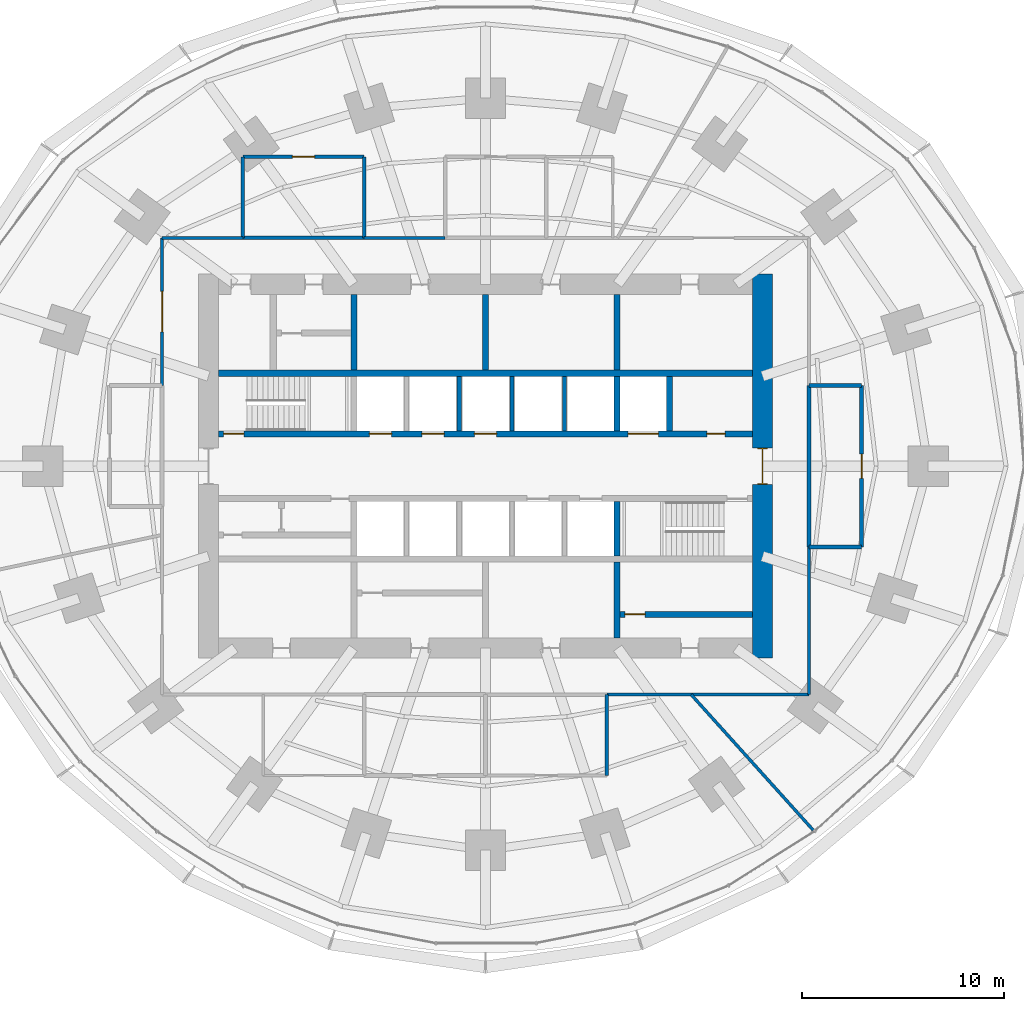
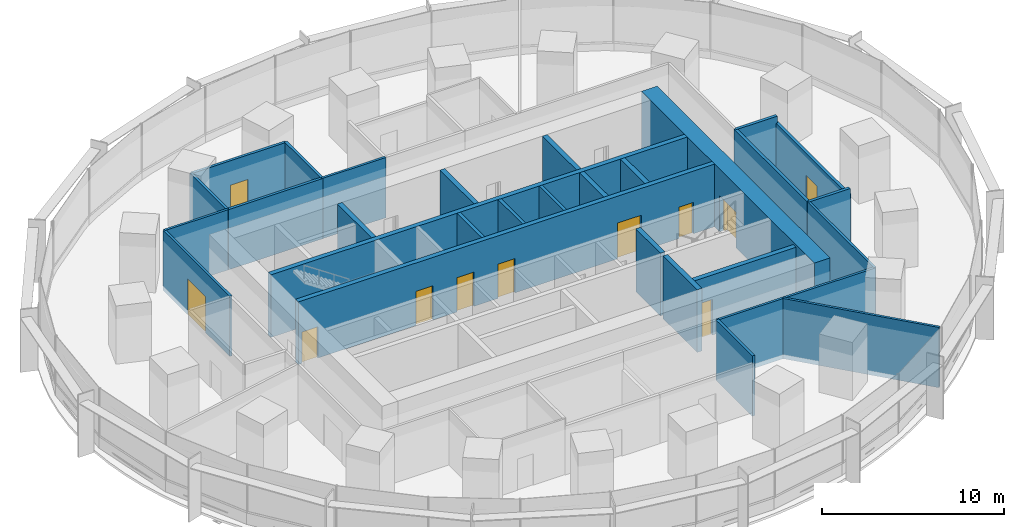
# One storey, part 12 of 15: 29 walls, 11 doors, 11 openings.
"""IFC4 building model written with IfcOpenShell, lengths in metres."""

from ifc_helpers import new_model, si_unit, direction, frame, frame_2d, origin, place, context, subcontext, project, spatial, rectangle, extrude, material, layer, layer_set, type_object, element, fill, save


model = new_model("IFC4")

# Units and contexts
model_context = context("Model", 3, precision=1e-05, world=origin(), true_north=direction((0.0, 1.0)))
body_context = subcontext(model_context, "Body", "Model", "MODEL_VIEW")
ifc_project = project(units=[si_unit("LENGTHUNIT", "METRE"), si_unit("AREAUNIT", "SQUARE_METRE"), si_unit("VOLUMEUNIT", "CUBIC_METRE"), si_unit("PLANEANGLEUNIT", "RADIAN"), si_unit("MASSUNIT", "GRAM", prefix="KILO")], contexts=[model_context])

# Site, building, storey
site_placement = place(None, origin())
site = spatial("IfcSite", under=ifc_project, at=site_placement, CompositionType="ELEMENT")
building_placement = place(site_placement, origin())
building = spatial("IfcBuilding", under=site, at=building_placement, Name="Marramba Exchange Tower", CompositionType="ELEMENT")
storey_placement = place(building_placement, frame((0.0, 0.0, 44.800048828125)))
storey = spatial("IfcBuildingStorey", under=building, at=storey_placement, Name="L10", CompositionType="ELEMENT", Elevation=44.800048828125)

# Walls
ifc_material_1 = material(Name="Plasterboard on staggered double steel studs, acoustic insulation", Category="steel")
ifc_layer_1 = layer(ifc_material_1, 0.169921875)
ifc_layer_set_1 = layer_set([ifc_layer_1], Name="Acoustic partition 170")
wall_type_1 = type_object("IfcWallType", Name="Acoustic partition 170", PredefinedType="PARTITIONING", material=ifc_layer_set_1)
for number, where, z_axis, x_axis, name in (
    (1, (6.0, -15.300048828125, 0.0), (0.0, 0.0, 1.0), (0.0, 1.0, 0.0), "Acoustic partition L10 13"),
    (2, (-6.0, 11.300048828125, 0.0), (0.0, 0.0, 1.0), (0.0, 1.0, 0.0), "Acoustic partition L10 31"),
):
    element("IfcWall", number, at=place(storey_placement, frame(where, z_axis=z_axis, x_axis=x_axis)), inside=storey, type_object=wall_type_1, Name=name, PredefinedType="PARTITIONING", context=body_context, shape_type="SweptSolid", body=[
        extrude(rectangle(XDim=4.0, YDim=0.169921875, at=frame_2d((2.0, 0.0))), origin(), (0.0, 0.0, 1.0), 4.0400390625),
    ])

# Wall, opening, door
wall_1_placement = place(storey_placement, frame((-6.0, 15.300048828125, 0.0), z_axis=(0.0, 0.0, 1.0), x_axis=(-1.0, 0.0, 0.0)))
wall_1 = element("IfcWall", 3, at=wall_1_placement, inside=storey, type_object=wall_type_1, Name="Acoustic partition L10 32", PredefinedType="PARTITIONING", context=body_context, shape_type="SweptSolid", body=[
    extrude(rectangle(XDim=6.0, YDim=0.169921875, at=frame_2d((3.0, 0.0))), origin(), (0.0, 0.0, 1.0), 4.0400390625),
])
opening_1_placement = place(wall_1_placement, frame((2.449951171875, 0.0, 0.0)))
opening_1 = element("IfcOpeningElement", 4, at=opening_1_placement, cuts=wall_1, Name="Opening D15", PredefinedType="OPENING", context=body_context, shape_type="SweptSolid", body=[
    extrude(rectangle(XDim=1.10009765625, YDim=2.39990234375, at=frame_2d((0.550048828125, 1.199951171875))), frame((0.0, 0.094970703125, 0.0), z_axis=(0.0, -1.0, 0.0), x_axis=(1.0, 0.0, 0.0)), (0.0, 0.0, 1.0), 0.18994140625),
])
ifc_material_2 = material(Name="Timber door", Category="wood")
door_type_1 = type_object("IfcDoorType", Name="Glazed meeting room door 1100x2400", OperationType="SINGLE_SWING_LEFT", PredefinedType="DOOR", material=ifc_material_2)
door_1_placement = place(opening_1_placement, origin())
door_1 = element("IfcDoor", 5, at=door_1_placement, inside=storey, type_object=door_type_1, Name="D15 Meeting Room 2 L10", OperationType="SINGLE_SWING_RIGHT", OverallHeight=2.39990234375, OverallWidth=1.10009765625, PredefinedType="DOOR", context=body_context, shape_type="SweptSolid", body=[
    extrude(rectangle(XDim=1.10009765625, YDim=2.39990234375, at=frame_2d((0.550048828125, 1.199951171875))), frame((0.0, 0.02490234375, 0.0), z_axis=(0.0, -1.0, 0.0), x_axis=(1.0, 0.0, 0.0)), (0.0, 0.0, 1.0), 0.050048828125),
])
fill(opening_1, door_1)

# Walls
wall_2_placement = place(storey_placement, frame((-12.0, 11.300048828125, 0.0), z_axis=(0.0, 0.0, 1.0), x_axis=(1.0, 0.0, 0.0)))
element("IfcWall", 6, at=wall_2_placement, inside=storey, type_object=wall_type_1, Name="Acoustic partition L10 33", PredefinedType="PARTITIONING", context=body_context, shape_type="SweptSolid", body=[
    extrude(rectangle(XDim=6.0, YDim=0.169921875, at=frame_2d((3.0, 0.0))), origin(), (0.0, 0.0, 1.0), 4.0400390625),
])
wall_3_placement = place(storey_placement, frame((-12.0, 15.300048828125, 0.0), z_axis=(0.0, 0.0, 1.0), x_axis=(0.0, -1.0, 0.0)))
element("IfcWall", 7, at=wall_3_placement, inside=storey, type_object=wall_type_1, Name="Acoustic partition L10 34", PredefinedType="PARTITIONING", context=body_context, shape_type="SweptSolid", body=[
    extrude(rectangle(XDim=4.0, YDim=0.169921875, at=frame_2d((2.0, 0.0))), origin(), (0.0, 0.0, 1.0), 4.0400390625),
])
ifc_material_3 = material(Name="Concrete N50", Category="concrete")
ifc_layer_2 = layer(ifc_material_3, 0.199951171875)
ifc_layer_set_2 = layer_set([ifc_layer_2], Name="Core shaft wall 200")
wall_type_2 = type_object("IfcWallType", Name="Core shaft wall 200", PredefinedType="SHEAR", material=ifc_layer_set_2)
for number, where, z_axis, x_axis, name in (
    (8, (-1.300048828125, 1.75, 0.0), (0.0, 0.0, 1.0), (0.0, 1.0, 0.0), "Core wall SHN2 L10"),
    (9, (1.300048828125, 1.75, 0.0), (0.0, 0.0, 1.0), (0.0, 1.0, 0.0), "Core wall SHN3 L10"),
    (10, (3.89990234375, 1.75, 0.0), (0.0, 0.0, 1.0), (0.0, 1.0, 0.0), "Core wall SHN4 L10"),
):
    element("IfcWall", number, at=place(storey_placement, frame(where, z_axis=z_axis, x_axis=x_axis)), inside=storey, type_object=wall_type_2, Name=name, PredefinedType="SHEAR", context=body_context, shape_type="SweptSolid", body=[
        extrude(rectangle(XDim=2.699951171875, YDim=0.199951171875, at=frame_2d((1.35009765625, 0.0))), origin(), (0.0, 0.0, 1.0), 4.199951171875),
    ])

# Wall, opening, door
ifc_layer_3 = layer(ifc_material_3, 1.0)
ifc_layer_set_3 = layer_set([ifc_layer_3], Name="Core wall 1000")
wall_type_3 = type_object("IfcWallType", Name="Core wall 1000", PredefinedType="SHEAR", material=ifc_layer_set_3)
wall_4_placement = place(storey_placement, frame((13.699951171875, -9.5, 0.0), z_axis=(0.0, 0.0, 1.0), x_axis=(0.0, 1.0, 0.0)))
wall_4 = element("IfcWall", 11, at=wall_4_placement, inside=storey, type_object=wall_type_3, Name="Core wall E L10", PredefinedType="SHEAR", context=body_context, shape_type="SweptSolid", body=[
    extrude(rectangle(XDim=19.0, YDim=1.0, at=frame_2d((9.5, 0.0))), origin(), (0.0, 0.0, 1.0), 4.199951171875),
])
opening_2_placement = place(wall_4_placement, frame((8.60009765625, 0.0, 0.0)))
opening_2 = element("IfcOpeningElement", 12, at=opening_2_placement, cuts=wall_4, Name="Opening D1", PredefinedType="OPENING", context=body_context, shape_type="SweptSolid", body=[
    extrude(rectangle(XDim=1.800048828125, YDim=2.39990234375, at=frame_2d((0.89990234375, 1.199951171875))), frame((0.0, 0.510009765625, 0.0), z_axis=(0.0, -1.0, 0.0), x_axis=(1.0, 0.0, 0.0)), (0.0, 0.0, 1.0), 1.02001953125),
])
ifc_material_4 = material(Name="Steel-framed door", Category="steel")
door_type_2 = type_object("IfcDoorType", Name="Lobby exit door 1800x2400", OperationType="DOUBLE_DOOR_SINGLE_SWING", PredefinedType="DOOR", material=ifc_material_4)
door_2_placement = place(opening_2_placement, origin())
door_2 = element("IfcDoor", 13, at=door_2_placement, inside=storey, type_object=door_type_2, Name="D1 lobby exit east L10", OperationType="DOUBLE_DOOR_SINGLE_SWING", OverallHeight=2.39990234375, OverallWidth=1.800048828125, PredefinedType="DOOR", context=body_context, shape_type="SweptSolid", body=[
    extrude(rectangle(XDim=1.719970703125, YDim=2.35986328125, at=frame_2d((0.89990234375, 1.179931640625))), frame((0.0, 0.02490234375, 0.0), z_axis=(0.0, -1.0, 0.0), x_axis=(1.0, 0.0, 0.0)), (0.0, 0.0, 1.0), 0.050048828125),
    extrude(rectangle(XDim=0.04, YDim=2.39990234375, at=frame_2d((0.02001953125, 1.199951171875))), frame((0.0, 0.25, 0.0), z_axis=(0.0, -1.0, 0.0), x_axis=(1.0, 0.0, 0.0)), (0.0, 0.0, 1.0), 0.5),
    extrude(rectangle(XDim=0.04, YDim=2.39990234375, at=frame_2d((1.780029296875, 1.199951171875))), frame((0.0, 0.25, 0.0), z_axis=(0.0, -1.0, 0.0), x_axis=(1.0, 0.0, 0.0)), (0.0, 0.0, 1.0), 0.5),
    extrude(rectangle(XDim=1.719970703125, YDim=0.04, at=frame_2d((0.89990234375, 2.3798828125))), frame((0.0, 0.25, 0.0), z_axis=(0.0, -1.0, 0.0), x_axis=(1.0, 0.0, 0.0)), (0.0, 0.0, 1.0), 0.5),
])
fill(opening_2, door_2)

# Wall, openings, doors
ifc_layer_4 = layer(ifc_material_3, 0.300048828125)
ifc_layer_set_4 = layer_set([ifc_layer_4], Name="Core wall 300")
wall_type_4 = type_object("IfcWallType", Name="Core wall 300", PredefinedType="SHEAR", material=ifc_layer_set_4)
wall_5_placement = place(storey_placement, frame((-13.199951171875, 1.60009765625, 0.0), z_axis=(0.0, 0.0, 1.0), x_axis=(1.0, 0.0, 0.0)))
wall_5 = element("IfcWall", 14, at=wall_5_placement, inside=storey, type_object=wall_type_4, Name="Core wall LN L10", PredefinedType="SHEAR", context=body_context, shape_type="SweptSolid", body=[
    extrude(rectangle(XDim=26.39990234375, YDim=0.300048828125, at=frame_2d((13.199951171875, 0.0))), origin(), (0.0, 0.0, 1.0), 4.199951171875),
])
opening_3_placement = place(wall_5_placement, frame((0.25, 0.0, 0.0)))
opening_3 = element("IfcOpeningElement", 15, at=opening_3_placement, cuts=wall_5, Name="Opening D2", PredefinedType="OPENING", context=body_context, shape_type="SweptSolid", body=[
    extrude(rectangle(XDim=1.0, YDim=2.10009765625, at=frame_2d((0.5, 1.050048828125))), frame((0.0, 0.159912109375, 0.0), z_axis=(0.0, -1.0, 0.0), x_axis=(1.0, 0.0, 0.0)), (0.0, 0.0, 1.0), 0.320068359375),
])
opening_4_placement = place(wall_5_placement, frame((20.25, 0.0, 0.0)))
opening_4 = element("IfcOpeningElement", 16, at=opening_4_placement, cuts=wall_5, Name="Opening LD3", PredefinedType="OPENING", context=body_context, shape_type="SweptSolid", body=[
    extrude(rectangle(XDim=1.5, YDim=2.39990234375, at=frame_2d((0.75, 1.199951171875))), frame((0.0, 0.159912109375, 0.0), z_axis=(0.0, -1.0, 0.0), x_axis=(1.0, 0.0, 0.0)), (0.0, 0.0, 1.0), 0.320068359375),
])
opening_5_placement = place(wall_5_placement, frame((7.449951171875, 0.0, 0.0)))
opening_5 = element("IfcOpeningElement", 17, at=opening_5_placement, cuts=wall_5, Name="Opening LD1", PredefinedType="OPENING", context=body_context, shape_type="SweptSolid", body=[
    extrude(rectangle(XDim=1.10009765625, YDim=2.300048828125, at=frame_2d((0.550048828125, 1.14990234375))), frame((0.0, 0.159912109375, 0.0), z_axis=(0.0, -1.0, 0.0), x_axis=(1.0, 0.0, 0.0)), (0.0, 0.0, 1.0), 0.320068359375),
])
opening_6_placement = place(wall_5_placement, frame((10.050048828125, 0.0, 0.0)))
opening_6 = element("IfcOpeningElement", 18, at=opening_6_placement, cuts=wall_5, Name="Opening LD1", PredefinedType="OPENING", context=body_context, shape_type="SweptSolid", body=[
    extrude(rectangle(XDim=1.10009765625, YDim=2.300048828125, at=frame_2d((0.550048828125, 1.14990234375))), frame((0.0, 0.159912109375, 0.0), z_axis=(0.0, -1.0, 0.0), x_axis=(1.0, 0.0, 0.0)), (0.0, 0.0, 1.0), 0.320068359375),
])
opening_7_placement = place(wall_5_placement, frame((12.64990234375, 0.0, 0.0)))
opening_7 = element("IfcOpeningElement", 19, at=opening_7_placement, cuts=wall_5, Name="Opening LD1", PredefinedType="OPENING", context=body_context, shape_type="SweptSolid", body=[
    extrude(rectangle(XDim=1.10009765625, YDim=2.300048828125, at=frame_2d((0.550048828125, 1.14990234375))), frame((0.0, 0.159912109375, 0.0), z_axis=(0.0, -1.0, 0.0), x_axis=(1.0, 0.0, 0.0)), (0.0, 0.0, 1.0), 0.320068359375),
])
opening_8_placement = place(wall_5_placement, frame((24.14990234375, 0.0, 0.0)))
opening_8 = element("IfcOpeningElement", 20, at=opening_8_placement, cuts=wall_5, Name="Opening D5", PredefinedType="OPENING", context=body_context, shape_type="SweptSolid", body=[
    extrude(rectangle(XDim=0.89990234375, YDim=2.10009765625, at=frame_2d((0.449951171875, 1.050048828125))), frame((0.0, 0.159912109375, 0.0), z_axis=(0.0, -1.0, 0.0), x_axis=(1.0, 0.0, 0.0)), (0.0, 0.0, 1.0), 0.320068359375),
])
door_type_3 = type_object("IfcDoorType", Name="Goods lift landing door 1500x2400", OperationType="SLIDING_TO_LEFT", PredefinedType="DOOR", material=ifc_material_4)
door_3_placement = place(opening_4_placement, origin())
door_3 = element("IfcDoor", 21, at=door_3_placement, inside=storey, type_object=door_type_3, Name="GL1 landing door L10", OperationType="SLIDING_TO_LEFT", OverallHeight=2.39990234375, OverallWidth=1.5, PredefinedType="DOOR", context=body_context, shape_type="SweptSolid", body=[
    extrude(rectangle(XDim=1.5, YDim=2.39990234375, at=frame_2d((0.75, 1.199951171875))), frame((0.0, 0.02490234375, 0.0), z_axis=(0.0, -1.0, 0.0), x_axis=(1.0, 0.0, 0.0)), (0.0, 0.0, 1.0), 0.050048828125),
])
fill(opening_4, door_3)
door_type_4 = type_object("IfcDoorType", Name="Lift landing door 1100x2300", OperationType="SLIDING_TO_LEFT", PredefinedType="DOOR", material=ifc_material_4)
door_4_placement = place(opening_5_placement, origin())
door_4 = element("IfcDoor", 22, at=door_4_placement, inside=storey, type_object=door_type_4, Name="LA1 landing door L10", OperationType="SLIDING_TO_LEFT", OverallHeight=2.300048828125, OverallWidth=1.10009765625, PredefinedType="DOOR", context=body_context, shape_type="SweptSolid", body=[
    extrude(rectangle(XDim=1.10009765625, YDim=2.300048828125, at=frame_2d((0.550048828125, 1.14990234375))), frame((0.0, 0.02490234375, 0.0), z_axis=(0.0, -1.0, 0.0), x_axis=(1.0, 0.0, 0.0)), (0.0, 0.0, 1.0), 0.050048828125),
])
fill(opening_5, door_4)
door_5_placement = place(opening_6_placement, origin())
door_5 = element("IfcDoor", 23, at=door_5_placement, inside=storey, type_object=door_type_4, Name="LA2 landing door L10", OperationType="SLIDING_TO_LEFT", OverallHeight=2.300048828125, OverallWidth=1.10009765625, PredefinedType="DOOR", context=body_context, shape_type="SweptSolid", body=[
    extrude(rectangle(XDim=1.10009765625, YDim=2.300048828125, at=frame_2d((0.550048828125, 1.14990234375))), frame((0.0, 0.02490234375, 0.0), z_axis=(0.0, -1.0, 0.0), x_axis=(1.0, 0.0, 0.0)), (0.0, 0.0, 1.0), 0.050048828125),
])
fill(opening_6, door_5)
door_6_placement = place(opening_7_placement, origin())
door_6 = element("IfcDoor", 24, at=door_6_placement, inside=storey, type_object=door_type_4, Name="LA3 landing door L10", OperationType="SLIDING_TO_RIGHT", OverallHeight=2.300048828125, OverallWidth=1.10009765625, PredefinedType="DOOR", context=body_context, shape_type="SweptSolid", body=[
    extrude(rectangle(XDim=1.10009765625, YDim=2.300048828125, at=frame_2d((0.550048828125, 1.14990234375))), frame((0.0, 0.02490234375, 0.0), z_axis=(0.0, -1.0, 0.0), x_axis=(1.0, 0.0, 0.0)), (0.0, 0.0, 1.0), 0.050048828125),
])
fill(opening_7, door_6)
door_type_5 = type_object("IfcDoorType", Name="Service door 900x2100", OperationType="SINGLE_SWING_LEFT", PredefinedType="DOOR", material=ifc_material_4)
door_7_placement = place(opening_8_placement, origin())
door_7 = element("IfcDoor", 25, at=door_7_placement, inside=storey, type_object=door_type_5, Name="D5 riser L10", OperationType="SINGLE_SWING_RIGHT", OverallHeight=2.10009765625, OverallWidth=0.89990234375, PredefinedType="DOOR", context=body_context, shape_type="SweptSolid", body=[
    extrude(rectangle(XDim=0.89990234375, YDim=2.10009765625, at=frame_2d((0.449951171875, 1.050048828125))), frame((0.0, 0.02490234375, 0.0), z_axis=(0.0, -1.0, 0.0), x_axis=(1.0, 0.0, 0.0)), (0.0, 0.0, 1.0), 0.050048828125),
])
fill(opening_8, door_7)
door_type_6 = type_object("IfcDoorType", Name="Stair door 1000x2100", OperationType="SINGLE_SWING_LEFT", PredefinedType="DOOR", material=ifc_material_4)
door_8_placement = place(opening_3_placement, origin())
door_8 = element("IfcDoor", 26, at=door_8_placement, inside=storey, type_object=door_type_6, Name="D2 stair ST1 L10", OperationType="SINGLE_SWING_LEFT", OverallHeight=2.10009765625, OverallWidth=1.0, PredefinedType="DOOR", context=body_context, shape_type="SweptSolid", body=[
    extrude(rectangle(XDim=1.0, YDim=2.10009765625, at=frame_2d((0.5, 1.050048828125))), frame((0.0, 0.02490234375, 0.0), z_axis=(0.0, -1.0, 0.0), x_axis=(1.0, 0.0, 0.0)), (0.0, 0.0, 1.0), 0.050048828125),
])
fill(opening_3, door_8)

# Walls
wall_6_placement = place(storey_placement, frame((-13.199951171875, 4.60009765625, 0.0), z_axis=(0.0, 0.0, 1.0), x_axis=(1.0, 0.0, 0.0)))
element("IfcWall", 27, at=wall_6_placement, inside=storey, type_object=wall_type_4, Name="Core wall BN L10", PredefinedType="SHEAR", context=body_context, shape_type="SweptSolid", body=[
    extrude(rectangle(XDim=26.39990234375, YDim=0.300048828125, at=frame_2d((13.199951171875, 0.0))), origin(), (0.0, 0.0, 1.0), 4.199951171875),
])
wall_7_placement = place(storey_placement, frame((-6.5, 4.75, 0.0), z_axis=(0.0, 0.0, 1.0), x_axis=(0.0, 1.0, 0.0)))
element("IfcWall", 28, at=wall_7_placement, inside=storey, type_object=wall_type_4, Name="Core wall X0Nb L10", PredefinedType="SHEAR", context=body_context, shape_type="SweptSolid", body=[
    extrude(rectangle(XDim=3.75, YDim=0.300048828125, at=frame_2d((1.875, 0.0))), origin(), (0.0, 0.0, 1.0), 4.199951171875),
])
wall_8_placement = place(storey_placement, frame((6.5, 1.75, 0.0), z_axis=(0.0, 0.0, 1.0), x_axis=(0.0, 1.0, 0.0)))
element("IfcWall", 29, at=wall_8_placement, inside=storey, type_object=wall_type_4, Name="Core wall X1Na L10", PredefinedType="SHEAR", context=body_context, shape_type="SweptSolid", body=[
    extrude(rectangle(XDim=2.699951171875, YDim=0.300048828125, at=frame_2d((1.35009765625, 0.0))), origin(), (0.0, 0.0, 1.0), 4.199951171875),
])
for number, where, z_axis, x_axis, name in (
    (30, (6.5, 4.75, 0.0), (0.0, 0.0, 1.0), (0.0, 1.0, 0.0), "Core wall X1Nb L10"),
    (31, (0.0, 4.75, 0.0), (0.0, 0.0, 1.0), (0.0, 1.0, 0.0), "Core wall MN L10"),
):
    element("IfcWall", number, at=place(storey_placement, frame(where, z_axis=z_axis, x_axis=x_axis)), inside=storey, type_object=wall_type_4, Name=name, PredefinedType="SHEAR", context=body_context, shape_type="SweptSolid", body=[
        extrude(rectangle(XDim=3.75, YDim=0.300048828125, at=frame_2d((1.875, 0.0))), origin(), (0.0, 0.0, 1.0), 4.199951171875),
    ])
wall_9_placement = place(storey_placement, frame((6.5, -1.75, 0.0), z_axis=(0.0, 0.0, 1.0), x_axis=(0.0, -1.0, 0.0)))
element("IfcWall", 32, at=wall_9_placement, inside=storey, type_object=wall_type_4, Name="Core wall X1Sa L10", PredefinedType="SHEAR", context=body_context, shape_type="SweptSolid", body=[
    extrude(rectangle(XDim=2.699951171875, YDim=0.300048828125, at=frame_2d((1.35009765625, 0.0))), origin(), (0.0, 0.0, 1.0), 4.199951171875),
])
wall_10_placement = place(storey_placement, frame((6.5, -4.75, 0.0), z_axis=(0.0, 0.0, 1.0), x_axis=(0.0, -1.0, 0.0)))
element("IfcWall", 33, at=wall_10_placement, inside=storey, type_object=wall_type_4, Name="Core wall X1Sb L10", PredefinedType="SHEAR", context=body_context, shape_type="SweptSolid", body=[
    extrude(rectangle(XDim=3.75, YDim=0.300048828125, at=frame_2d((1.875, 0.0))), origin(), (0.0, 0.0, 1.0), 4.199951171875),
])
wall_11_placement = place(storey_placement, frame((9.10009765625, 1.75, 0.0), z_axis=(0.0, 0.0, 1.0), x_axis=(0.0, 1.0, 0.0)))
element("IfcWall", 34, at=wall_11_placement, inside=storey, type_object=wall_type_4, Name="Core wall ED L10", PredefinedType="SHEAR", context=body_context, shape_type="SweptSolid", body=[
    extrude(rectangle(XDim=2.699951171875, YDim=0.300048828125, at=frame_2d((1.35009765625, 0.0))), origin(), (0.0, 0.0, 1.0), 4.199951171875),
])
ifc_material_5 = material(Name="Core-filled concrete blockwork, rendered", Category="masonry")
ifc_layer_5 = layer(ifc_material_5, 0.18994140625)
ifc_layer_set_5 = layer_set([ifc_layer_5], Name="Equipment room wall 190")
wall_type_5 = type_object("IfcWallType", Name="Equipment room wall 190", PredefinedType="SOLIDWALL", material=ifc_layer_set_5)
wall_12_placement = place(storey_placement, frame((16.0, -4.0, 0.0), z_axis=(0.0, 0.0, 1.0), x_axis=(1.0, 0.0, 0.0)))
element("IfcWall", 35, at=wall_12_placement, inside=storey, type_object=wall_type_5, Name="Equipment room wall L10 17", PredefinedType="SOLIDWALL", context=body_context, shape_type="SweptSolid", body=[
    extrude(rectangle(XDim=2.60009765625, YDim=0.18994140625, at=frame_2d((1.300048828125, 0.0))), origin(), (0.0, 0.0, 1.0), 4.0400390625),
])
wall_13_placement = place(storey_placement, frame((16.0, 4.0, 0.0), z_axis=(0.0, 0.0, 1.0), x_axis=(0.0, -1.0, 0.0)))
element("IfcWall", 36, at=wall_13_placement, inside=storey, type_object=wall_type_5, Name="Equipment room wall L10 18", PredefinedType="SOLIDWALL", context=body_context, shape_type="SweptSolid", body=[
    extrude(rectangle(XDim=8.0, YDim=0.18994140625, at=frame_2d((4.0, 0.0))), origin(), (0.0, 0.0, 1.0), 4.0400390625),
])

# Wall, opening, door
wall_14_placement = place(storey_placement, frame((18.60009765625, -4.0, 0.0), z_axis=(0.0, 0.0, 1.0), x_axis=(0.0, 1.0, 0.0)))
wall_14 = element("IfcWall", 37, at=wall_14_placement, inside=storey, type_object=wall_type_5, Name="Equipment room wall L10 19", PredefinedType="SOLIDWALL", context=body_context, shape_type="SweptSolid", body=[
    extrude(rectangle(XDim=8.0, YDim=0.18994140625, at=frame_2d((4.0, 0.0))), origin(), (0.0, 0.0, 1.0), 3.5859375),
])
opening_9_placement = place(wall_14_placement, frame((3.39990234375, 0.0, 0.0)))
opening_9 = element("IfcOpeningElement", 38, at=opening_9_placement, cuts=wall_14, Name="Opening D16", PredefinedType="OPENING", context=body_context, shape_type="SweptSolid", body=[
    extrude(rectangle(XDim=1.199951171875, YDim=2.10009765625, at=frame_2d((0.60009765625, 1.050048828125))), frame((0.0, 0.10498046875, 0.0), z_axis=(0.0, -1.0, 0.0), x_axis=(1.0, 0.0, 0.0)), (0.0, 0.0, 1.0), 0.2099609375),
])
door_type_7 = type_object("IfcDoorType", Name="Equipment room door 1200x2100", OperationType="SINGLE_SWING_LEFT", PredefinedType="DOOR", material=ifc_material_4)
door_9_placement = place(opening_9_placement, origin())
door_9 = element("IfcDoor", 39, at=door_9_placement, inside=storey, type_object=door_type_7, Name="D16 Data Room 1 L10", OperationType="SINGLE_SWING_RIGHT", OverallHeight=2.10009765625, OverallWidth=1.199951171875, PredefinedType="DOOR", context=body_context, shape_type="SweptSolid", body=[
    extrude(rectangle(XDim=1.199951171875, YDim=2.10009765625, at=frame_2d((0.60009765625, 1.050048828125))), frame((0.0, 0.02490234375, 0.0), z_axis=(0.0, -1.0, 0.0), x_axis=(1.0, 0.0, 0.0)), (0.0, 0.0, 1.0), 0.050048828125),
])
fill(opening_9, door_9)

# Wall
wall_15_placement = place(storey_placement, frame((18.60009765625, 4.0, 0.0), z_axis=(0.0, 0.0, 1.0), x_axis=(-1.0, 0.0, 0.0)))
element("IfcWall", 40, at=wall_15_placement, inside=storey, type_object=wall_type_5, Name="Equipment room wall L10 20", PredefinedType="SOLIDWALL", context=body_context, shape_type="SweptSolid", body=[
    extrude(rectangle(XDim=2.60009765625, YDim=0.18994140625, at=frame_2d((1.300048828125, 0.0))), origin(), (0.0, 0.0, 1.0), 4.0400390625),
])

# Wall, opening, door
ifc_material_6 = material(Name="Plasterboard on steel studs, insulated, unrated", Category="steel")
ifc_layer_6 = layer(ifc_material_6, 0.300048828125)
ifc_layer_set_6 = layer_set([ifc_layer_6], Name="Store partition 300")
wall_type_6 = type_object("IfcWallType", Name="Store partition 300", PredefinedType="PARTITIONING", material=ifc_layer_set_6)
wall_16_placement = place(storey_placement, frame((6.64990234375, -7.327880859375, 0.0), z_axis=(0.0, 0.0, 1.0), x_axis=(1.0, 0.0, 0.0)))
wall_16 = element("IfcWall", 41, at=wall_16_placement, inside=storey, type_object=wall_type_6, Name="Store partition L10 cstore", PredefinedType="PARTITIONING", context=body_context, shape_type="SweptSolid", body=[
    extrude(rectangle(XDim=6.550048828125, YDim=0.300048828125, at=frame_2d((3.27490234375, 0.0))), origin(), (0.0, 0.0, 1.0), 4.0400390625),
])
opening_10_placement = place(wall_16_placement, frame((0.25, 0.0, 0.0)))
opening_10 = element("IfcOpeningElement", 42, at=opening_10_placement, cuts=wall_16, Name="Opening D9", PredefinedType="OPENING", context=body_context, shape_type="SweptSolid", body=[
    extrude(rectangle(XDim=1.0, YDim=2.39990234375, at=frame_2d((0.5, 1.199951171875))), frame((0.0, 0.159912109375, 0.0), z_axis=(0.0, -1.0, 0.0), x_axis=(1.0, 0.0, 0.0)), (0.0, 0.0, 1.0), 0.320068359375),
])
door_type_8 = type_object("IfcDoorType", Name="Room door 1000x2400", OperationType="SINGLE_SWING_LEFT", PredefinedType="DOOR", material=ifc_material_2)
door_10_placement = place(opening_10_placement, frame((1.0, 0.0, 0.0), z_axis=(0.0, 0.0, 1.0), x_axis=(-1.0, 0.0, 0.0)))
door_10 = element("IfcDoor", 43, at=door_10_placement, inside=storey, type_object=door_type_8, Name="D9 general store L10", OperationType="SINGLE_SWING_RIGHT", OverallHeight=2.39990234375, OverallWidth=1.0, PredefinedType="DOOR", context=body_context, shape_type="SweptSolid", body=[
    extrude(rectangle(XDim=1.0, YDim=2.39990234375, at=frame_2d((0.5, 1.199951171875))), frame((0.0, 0.025146484375, 0.0), z_axis=(0.0, -1.0, 0.0), x_axis=(1.0, 0.0, 0.0)), (0.0, 0.0, 1.0), 0.050048828125),
])
fill(opening_10, door_10)

# Walls
ifc_material_7 = material(Name="Fire-rated plasterboard on steel studs, acoustic insulation", Category="steel")
ifc_layer_7 = layer(ifc_material_7, 0.14990234375)
ifc_layer_set_7 = layer_set([ifc_layer_7], Name="Tenancy wall 150")
wall_type_7 = type_object("IfcWallType", Name="Tenancy wall 150", PredefinedType="PARTITIONING", material=ifc_layer_set_7)
wall_17_placement = place(storey_placement, frame((16.21435546875, -18.0078125, 0.0), z_axis=(0.0, 0.0, 1.0), x_axis=(-0.669136564673, 0.743139460544, 0.0)))
element("IfcWall", 44, at=wall_17_placement, inside=storey, type_object=wall_type_7, Name="Tenancy wall L10 14", PredefinedType="PARTITIONING", context=body_context, shape_type="SweptSolid", body=[
    extrude(rectangle(XDim=9.0263671875, YDim=0.14990234375, at=frame_2d((4.51318359375, 0.0))), origin(), (0.0, 0.0, 1.0), 4.0400390625),
])
wall_18_placement = place(storey_placement, frame((6.0, -11.300048828125, 0.0), z_axis=(0.0, 0.0, 1.0), x_axis=(1.0, 0.0, 0.0)))
element("IfcWall", 45, at=wall_18_placement, inside=storey, type_object=wall_type_7, Name="Tenancy wall L10 15", PredefinedType="PARTITIONING", context=body_context, shape_type="SweptSolid", body=[
    extrude(rectangle(XDim=10.0, YDim=0.14990234375, at=frame_2d((5.0, 0.0))), origin(), (0.0, 0.0, 1.0), 4.0400390625),
])
wall_19_placement = place(storey_placement, frame((16.0, -11.300048828125, 0.0), z_axis=(0.0, 0.0, 1.0), x_axis=(0.0, 1.0, 0.0)))
element("IfcWall", 46, at=wall_19_placement, inside=storey, type_object=wall_type_7, Name="Tenancy wall L10 16", PredefinedType="PARTITIONING", context=body_context, shape_type="SweptSolid", body=[
    extrude(rectangle(XDim=7.300048828125, YDim=0.14990234375, at=frame_2d((3.64990234375, 0.0))), origin(), (0.0, 0.0, 1.0), 4.0400390625),
])
for number, where, z_axis, x_axis, name in (
    (47, (-2.0, 11.300048828125, 0.0), (0.0, 0.0, 1.0), (-1.0, 0.0, 0.0), "Tenancy wall L10 30"),
    (48, (-12.0, 11.300048828125, 0.0), (0.0, 0.0, 1.0), (-1.0, 0.0, 0.0), "Tenancy wall L10 35"),
):
    element("IfcWall", number, at=place(storey_placement, frame(where, z_axis=z_axis, x_axis=x_axis)), inside=storey, type_object=wall_type_7, Name=name, PredefinedType="PARTITIONING", context=body_context, shape_type="SweptSolid", body=[
        extrude(rectangle(XDim=4.0, YDim=0.14990234375, at=frame_2d((2.0, 0.0))), origin(), (0.0, 0.0, 1.0), 4.0400390625),
    ])

# Wall, opening, door
wall_20_placement = place(storey_placement, frame((-16.0, 11.300048828125, 0.0), z_axis=(0.0, 0.0, 1.0), x_axis=(0.0, -1.0, 0.0)))
wall_20 = element("IfcWall", 49, at=wall_20_placement, inside=storey, type_object=wall_type_7, Name="Tenancy wall L10 36", PredefinedType="PARTITIONING", context=body_context, shape_type="SweptSolid", body=[
    extrude(rectangle(XDim=7.300048828125, YDim=0.14990234375, at=frame_2d((3.64990234375, 0.0))), origin(), (0.0, 0.0, 1.0), 4.0400390625),
])
opening_11_placement = place(wall_20_placement, frame((2.64990234375, 0.0, 0.0)))
opening_11 = element("IfcOpeningElement", 50, at=opening_11_placement, cuts=wall_20, Name="Opening D17", PredefinedType="OPENING", context=body_context, shape_type="SweptSolid", body=[
    extrude(rectangle(XDim=2.0, YDim=2.39990234375, at=frame_2d((1.0, 1.199951171875))), frame((0.0, 0.0849609375, 0.0), z_axis=(0.0, -1.0, 0.0), x_axis=(1.0, 0.0, 0.0)), (0.0, 0.0, 1.0), 0.169921875),
])
door_type_9 = type_object("IfcDoorType", Name="Trading floor entry door pair 2000x2400", OperationType="DOUBLE_DOOR_SINGLE_SWING", PredefinedType="DOOR", material=ifc_material_4)
door_11_placement = place(opening_11_placement, origin())
door_11 = element("IfcDoor", 51, at=door_11_placement, inside=storey, type_object=door_type_9, Name="D17 Trading Floor 2 L10", OperationType="DOUBLE_DOOR_SINGLE_SWING", OverallHeight=2.39990234375, OverallWidth=2.0, PredefinedType="DOOR", context=body_context, shape_type="SweptSolid", body=[
    extrude(rectangle(XDim=2.0, YDim=2.39990234375, at=frame_2d((1.0, 1.199951171875))), frame((0.0, 0.02490234375, 0.0), z_axis=(0.0, -1.0, 0.0), x_axis=(1.0, 0.0, 0.0)), (0.0, 0.0, 1.0), 0.050048828125),
])
fill(opening_11, door_11)

save(model, "model.ifc")
